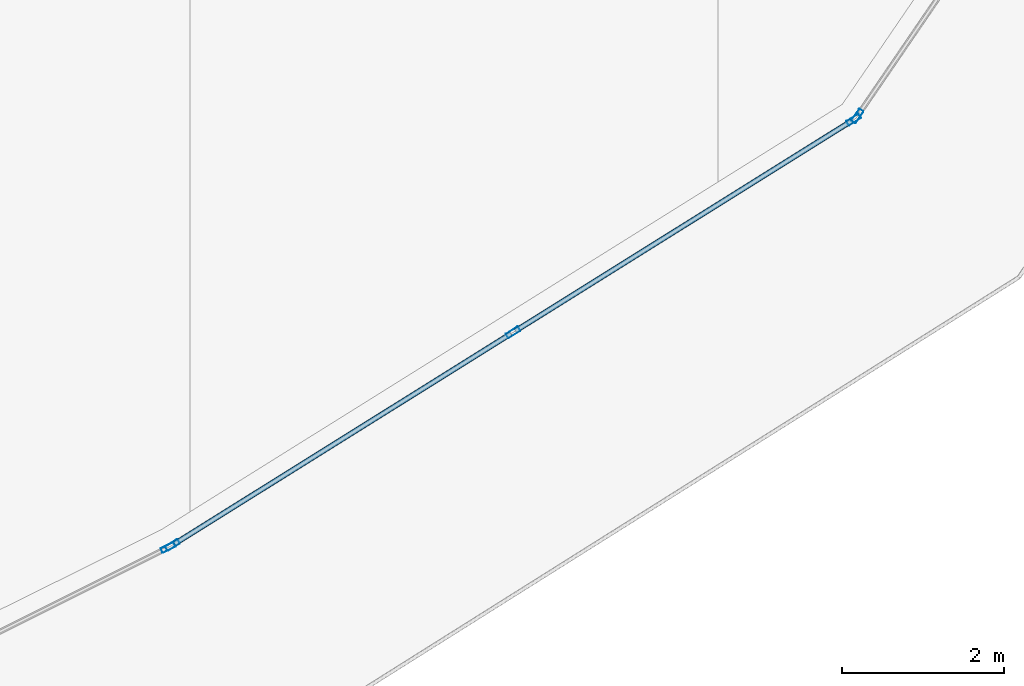
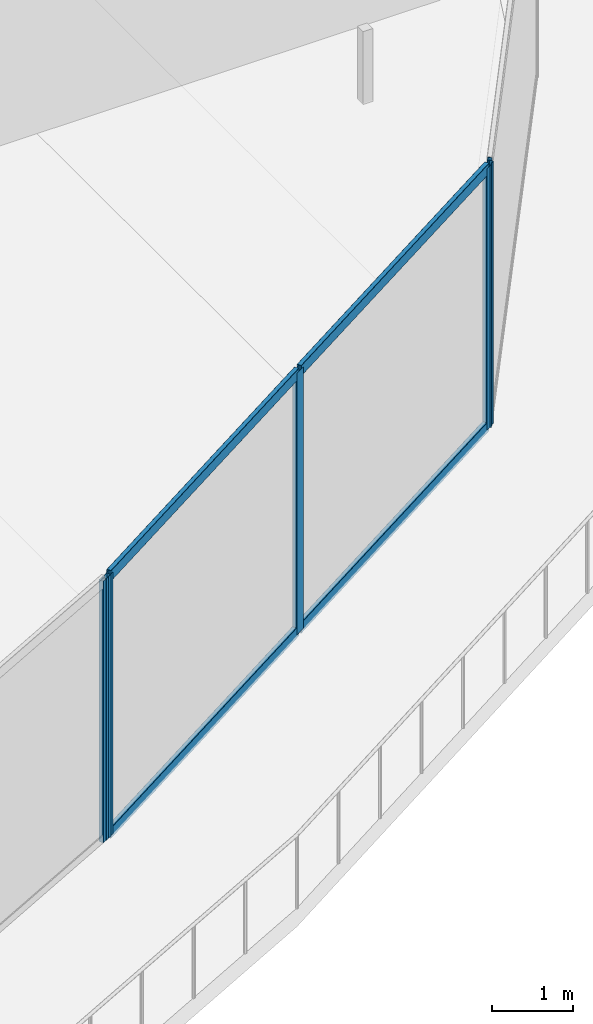
# One storey, part 9 of 44: 9 members, 3 elements without a shape of their own.
"""IFC4 building model written with IfcOpenShell, lengths in metres."""

from ifc_helpers import new_model, si_unit, direction, frame, origin, origin_2d, place, context, subcontext, project, spatial, hollow_rectangle, extrude, material, layer, layer_set, material_profile, profile_set, type_object, element, aggregate, save


model = new_model("IFC4")

# Units and contexts
model_context = context("Model", 3, precision=1e-05, world=origin(), true_north=direction((0.0, 1.0)))
body_context = subcontext(model_context, "Body", "Model", "MODEL_VIEW")
ifc_project = project(units=[si_unit("LENGTHUNIT", "METRE"), si_unit("AREAUNIT", "SQUARE_METRE"), si_unit("VOLUMEUNIT", "CUBIC_METRE"), si_unit("PLANEANGLEUNIT", "RADIAN"), si_unit("MASSUNIT", "GRAM", prefix="KILO")], contexts=[model_context])

# Site, building, storey
site_placement = place(None, origin())
site = spatial("IfcSite", under=ifc_project, at=site_placement, CompositionType="ELEMENT")
building_placement = place(site_placement, origin())
building = spatial("IfcBuilding", under=site, at=building_placement, Name="Qorvath Tower", CompositionType="ELEMENT")
storey_placement = place(building_placement, frame((0.0, 0.0, 53.39990234375)))
storey = spatial("IfcBuildingStorey", under=building, at=storey_placement, Name="L11", CompositionType="ELEMENT", Elevation=53.39990234375)

# Curtain wall, member
ifc_material_1 = material(Name="Anodised aluminium and triple low-E glass", Category="aluminium")
ifc_layer = layer(ifc_material_1, 0.179931640625)
ifc_layer_set = layer_set([ifc_layer], Name="CW-SYS-2")
curtain_wall_type = type_object("IfcCurtainWallType", Name="CW-SYS-2", PredefinedType="NOTDEFINED", material=ifc_layer_set)
curtain_wall_1_placement = place(storey_placement, origin())
curtain_wall_1 = element("IfcCurtainWall", 1, at=curtain_wall_1_placement, inside=storey, type_object=curtain_wall_type, Name="Curtain Wall CW-2 CW-T-L11-3.1", PredefinedType="NOTDEFINED")
ifc_material_2 = material(Name="Anodised aluminium 6063-T6", Category="aluminium")
ifc_material_profile_1 = material_profile(ifc_material_2, hollow_rectangle(XDim=0.06494140625, YDim=0.179931640625, WallThickness=0.00341796875, InnerFilletRadius=0.00341796875, OuterFilletRadius=0.007080078125, at=origin_2d()), Name="CWM 180x65")
ifc_profile_set_1 = profile_set([ifc_material_profile_1], Name="Anodised aluminium 6063-T6")
member_type_1 = type_object("IfcMemberType", Name="CWM-180", PredefinedType="MULLION", material=ifc_profile_set_1)
member_1_placement = place(storey_placement, frame((-10.12060546875, -31.0361328125, 0.0), z_axis=(0.0, 0.0, 1.0), x_axis=(-0.447258573792, 0.89440470044, 0.0)))
member_1 = element("IfcMember", 2, at=member_1_placement, type_object=member_type_1, Name="CW-2 mullion 2", PredefinedType="MULLION", context=body_context, shape_type="SweptSolid", body=[
    extrude(hollow_rectangle(XDim=0.06494140625, YDim=0.179931640625, WallThickness=0.00341796875, InnerFilletRadius=0.00341796875, OuterFilletRadius=0.007080078125, at=origin_2d()), origin(), (0.0, 0.0, 1.0), 3.920166015625),
])
aggregate(curtain_wall_1, [member_1])

# Curtain wall, members
curtain_wall_2_placement = place(storey_placement, origin())
curtain_wall_2 = element("IfcCurtainWall", 3, at=curtain_wall_2_placement, inside=storey, type_object=curtain_wall_type, Name="Curtain Wall CW-2 CW-T-L11-4.1", PredefinedType="NOTDEFINED")
member_2_placement = place(storey_placement, frame((-10.06396484375, -31.00439453125, 0.0), z_axis=(0.0, 0.0, 1.0), x_axis=(-0.529724040691, 0.848170054125, 0.0)))
member_2 = element("IfcMember", 4, at=member_2_placement, type_object=member_type_1, Name="CW-2 mullion 1", PredefinedType="MULLION", context=body_context, shape_type="SweptSolid", body=[
    extrude(hollow_rectangle(XDim=0.06494140625, YDim=0.179931640625, WallThickness=0.00341796875, InnerFilletRadius=0.00341796875, OuterFilletRadius=0.007080078125, at=origin_2d()), origin(), (0.0, 0.0, 1.0), 3.920166015625),
])
member_3_placement = place(storey_placement, frame((-5.847900390625, -28.37109375, 0.0), z_axis=(0.0, 0.0, 1.0), x_axis=(-0.529724040691, 0.848170054125, 0.0)))
member_3 = element("IfcMember", 5, at=member_3_placement, type_object=member_type_1, Name="CW-2 mullion 2", PredefinedType="MULLION", context=body_context, shape_type="SweptSolid", body=[
    extrude(hollow_rectangle(XDim=0.06494140625, YDim=0.179931640625, WallThickness=0.00341796875, InnerFilletRadius=0.00341796875, OuterFilletRadius=0.007080078125, at=origin_2d()), origin(), (0.0, 0.0, 1.0), 3.920166015625),
])
member_4_placement = place(storey_placement, frame((-1.6318359375, -25.738037109375, 0.0), z_axis=(0.0, 0.0, 1.0), x_axis=(-0.529724040691, 0.848170054125, 0.0)))
member_4 = element("IfcMember", 6, at=member_4_placement, type_object=member_type_1, Name="CW-2 mullion 3", PredefinedType="MULLION", context=body_context, shape_type="SweptSolid", body=[
    extrude(hollow_rectangle(XDim=0.06494140625, YDim=0.179931640625, WallThickness=0.00341796875, InnerFilletRadius=0.00341796875, OuterFilletRadius=0.007080078125, at=origin_2d()), origin(), (0.0, 0.0, 1.0), 3.920166015625),
])

# Curtain wall, member
curtain_wall_3_placement = place(storey_placement, origin())
curtain_wall_3 = element("IfcCurtainWall", 7, at=curtain_wall_3_placement, inside=storey, type_object=curtain_wall_type, Name="Curtain Wall CW-2 CW-T-L11-5.1", PredefinedType="NOTDEFINED")
member_5_placement = place(storey_placement, frame((-1.5859375, -25.69384765625, 0.0), z_axis=(0.0, 0.0, 1.0), x_axis=(-0.825849008834, 0.563891314535, 0.0)))
member_5 = element("IfcMember", 8, at=member_5_placement, type_object=member_type_1, Name="CW-2 mullion 1", PredefinedType="MULLION", context=body_context, shape_type="SweptSolid", body=[
    extrude(hollow_rectangle(XDim=0.06494140625, YDim=0.179931640625, WallThickness=0.00341796875, InnerFilletRadius=0.00341796875, OuterFilletRadius=0.007080078125, at=origin_2d()), origin(), (0.0, 0.0, 1.0), 3.920166015625),
])
aggregate(curtain_wall_3, [member_5])

# Member
ifc_material_3 = material(Name="Anodised aluminium 6063-T6", Category="aluminium")
ifc_material_profile_2 = material_profile(ifc_material_3, hollow_rectangle(XDim=0.06494140625, YDim=0.159912109375, WallThickness=0.00341796875, InnerFilletRadius=0.00341796875, OuterFilletRadius=0.007080078125, at=origin_2d()), Name="CWT 160x65")
ifc_profile_set_2 = profile_set([ifc_material_profile_2], Name="Anodised aluminium 6063-T6")
member_type_2 = type_object("IfcMemberType", Name="CWT-160", PredefinedType="USERDEFINED", material=ifc_profile_set_2)
member_6_placement = place(storey_placement, frame((-10.036376953125, -30.987060546875, 0.032470703125), z_axis=(0.848174397851, 0.52971708565, 0.0), x_axis=(-0.52971708565, 0.848174397851, 0.0)))
member_6 = element("IfcMember", 9, at=member_6_placement, type_object=member_type_2, Name="CW-2 transom 1.1", ObjectType="TRANSOM", PredefinedType="USERDEFINED", context=body_context, shape_type="SweptSolid", body=[
    extrude(hollow_rectangle(XDim=0.06494140625, YDim=0.159912109375, WallThickness=0.00341796875, InnerFilletRadius=0.00341796875, OuterFilletRadius=0.007080078125, at=origin_2d()), origin(), (0.0, 0.0, 1.0), 4.90576171875),
])

member_7_placement = place(storey_placement, frame((-10.036376953125, -30.987060546875, 3.8876953125), z_axis=(0.848174397851, 0.52971708565, 0.0), x_axis=(-0.52971708565, 0.848174397851, 0.0)))
member_7 = element("IfcMember", 10, at=member_7_placement, type_object=member_type_2, Name="CW-2 transom 1.2", ObjectType="TRANSOM", PredefinedType="USERDEFINED", context=body_context, shape_type="SweptSolid", body=[
    extrude(hollow_rectangle(XDim=0.06494140625, YDim=0.159912109375, WallThickness=0.00341796875, InnerFilletRadius=0.00341796875, OuterFilletRadius=0.007080078125, at=origin_2d()), origin(), (0.0, 0.0, 1.0), 4.90576171875),
])

member_8_placement = place(storey_placement, frame((-5.8203125, -28.35400390625, 0.032470703125), z_axis=(0.848152037868, 0.529752886411, 0.0), x_axis=(-0.529752886411, 0.848152037868, 0.0)))
member_8 = element("IfcMember", 11, at=member_8_placement, type_object=member_type_2, Name="CW-2 transom 2.1", ObjectType="TRANSOM", PredefinedType="USERDEFINED", context=body_context, shape_type="SweptSolid", body=[
    extrude(hollow_rectangle(XDim=0.06494140625, YDim=0.159912109375, WallThickness=0.00341796875, InnerFilletRadius=0.00341796875, OuterFilletRadius=0.007080078125, at=origin_2d()), origin(), (0.0, 0.0, 1.0), 4.90576171875),
])

member_9_placement = place(storey_placement, frame((-5.8203125, -28.35400390625, 3.8876953125), z_axis=(0.848152037868, 0.529752886411, 0.0), x_axis=(-0.529752886411, 0.848152037868, 0.0)))
member_9 = element("IfcMember", 12, at=member_9_placement, type_object=member_type_2, Name="CW-2 transom 2.2", ObjectType="TRANSOM", PredefinedType="USERDEFINED", context=body_context, shape_type="SweptSolid", body=[
    extrude(hollow_rectangle(XDim=0.06494140625, YDim=0.159912109375, WallThickness=0.00341796875, InnerFilletRadius=0.00341796875, OuterFilletRadius=0.007080078125, at=origin_2d()), origin(), (0.0, 0.0, 1.0), 4.90576171875),
])

aggregate(curtain_wall_2, [member_2, member_3, member_4, member_6, member_7, member_8, member_9])

save(model, "model.ifc")
